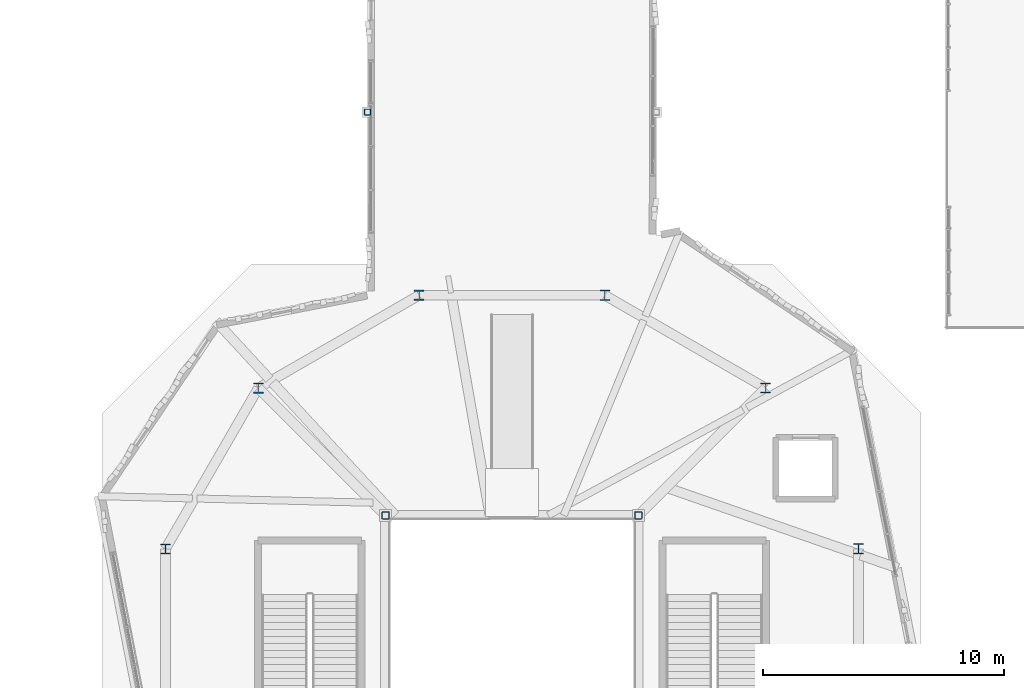
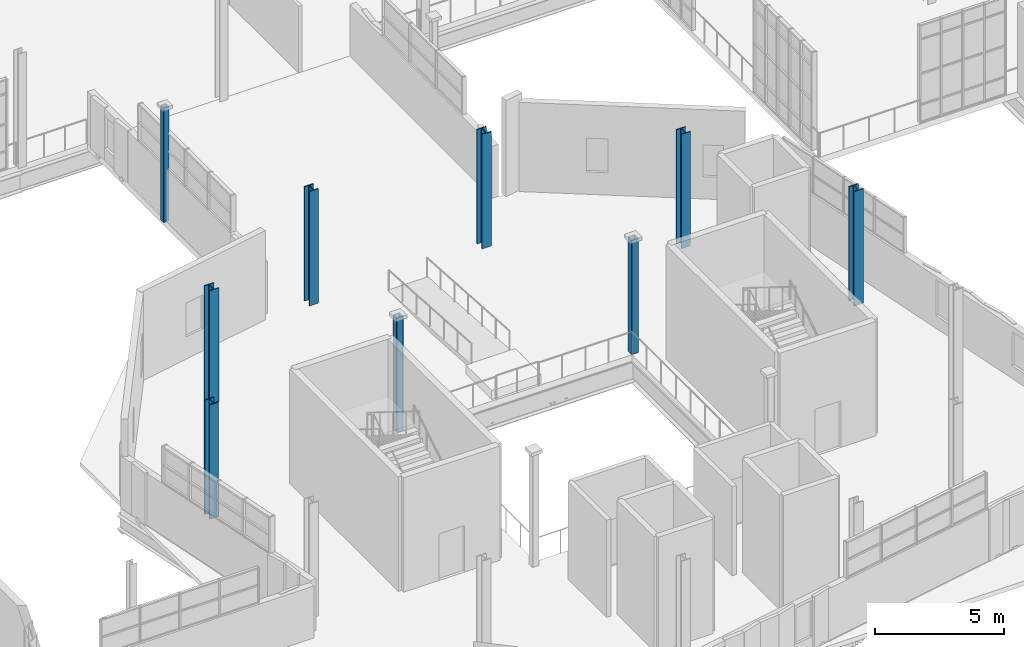
# One storey, part 7 of 142: 9 columns.
"""IFC4 building model written with IfcOpenShell, lengths in metres."""

from ifc_helpers import new_model, si_unit, direction, frame, origin, origin_2d, place, context, subcontext, project, spatial, hollow_rectangle, i_section, extrude, material, material_profile, profile_set, type_object, element, save


model = new_model("IFC4")

# Units and contexts
model_context = context("Model", 3, precision=1e-05, world=origin(), true_north=direction((0.0, 1.0)))
body_context = subcontext(model_context, "Body", "Model", "MODEL_VIEW")
ifc_project = project(units=[si_unit("LENGTHUNIT", "METRE"), si_unit("AREAUNIT", "SQUARE_METRE"), si_unit("VOLUMEUNIT", "CUBIC_METRE"), si_unit("PLANEANGLEUNIT", "RADIAN"), si_unit("MASSUNIT", "GRAM", prefix="KILO"), si_unit("THERMODYNAMICTEMPERATUREUNIT", "KELVIN"), si_unit("POWERUNIT", "WATT")], contexts=[model_context])

# Site, building, storey
site_placement = place(None, origin())
site = spatial("IfcSite", under=ifc_project, at=site_placement, CompositionType="ELEMENT")
building_placement = place(site_placement, origin())
building = spatial("IfcBuilding", under=site, at=building_placement, Name="Zelmaris Science Centre", CompositionType="ELEMENT")
storey_placement = place(building_placement, frame((0.0, 0.0, 5.39990234375)))
storey = spatial("IfcBuildingStorey", under=building, at=storey_placement, Name="L01", CompositionType="ELEMENT", Elevation=5.39990234375)

# Columns
ifc_material_1 = material(Name="Steel ASTM A992 Grade 50", Category="steel")
ifc_material_profile_1 = material_profile(ifc_material_1, i_section(OverallWidth=0.412109375, OverallDepth=0.43408203125, WebThickness=0.035888671875, FlangeThickness=0.044189453125, FilletRadius=0.014892578125, at=origin_2d()), Name="W14X311")
ifc_profile_set_1 = profile_set([ifc_material_profile_1], Name="Steel ASTM A992 Grade 50")
column_type_1 = type_object("IfcColumnType", Name="Column C-01 W14X311", PredefinedType="COLUMN", material=ifc_profile_set_1)
for number, where, z_axis, x_axis, name in (
    (1, (95.392333984375, 39.8564453125, 0.0), (0.0, 0.0, 1.0), (1.0, 0.0, 0.0), "Column V2-MC01 L01"),
    (2, (84.8564453125, 50.392333984375, 0.0), (0.0, 0.0, 1.0), (1.0, 0.0, 0.0), "Column V2-MC03 L01"),
    (3, (70.464111328125, 46.535888671875, 0.0), (0.0, 0.0, 1.0), (1.0, 0.0, 0.0), "Column V2-MC05 L01"),
):
    element("IfcColumn", number, at=place(storey_placement, frame(where, z_axis=z_axis, x_axis=x_axis)), inside=storey, type_object=column_type_1, Name=name, PredefinedType="COLUMN", context=body_context, shape_type="SweptSolid", body=[
        extrude(i_section(OverallWidth=0.412109375, OverallDepth=0.43408203125, WebThickness=0.035888671875, FlangeThickness=0.044189453125, FilletRadius=0.014892578125, at=origin_2d()), origin(), (0.0, 0.0, 1.0), 5.400146484375),
    ])
ifc_material_profile_2 = material_profile(ifc_material_1, i_section(OverallWidth=0.406005859375, OverallDepth=0.4169921875, WebThickness=0.02978515625, FlangeThickness=0.04443359375, FilletRadius=0.014892578125, at=origin_2d()), Name="W14X257")
ifc_profile_set_2 = profile_set([ifc_material_profile_2], Name="Steel ASTM A992 Grade 50")
column_type_2 = type_object("IfcColumnType", Name="Column C-02 W14X257", PredefinedType="COLUMN", material=ifc_profile_set_2)
for number, where, z_axis, x_axis, name in (
    (4, (91.535888671875, 46.535888671875, 0.0), (0.0, 0.0, 1.0), (1.0, 0.0, 0.0), "Column V2-MC02 L01"),
    (5, (77.1435546875, 50.392333984375, 0.0), (0.0, 0.0, 1.0), (1.0, 0.0, 0.0), "Column V2-MC04 L01"),
    (6, (66.607666015625, 39.8564453125, 0.0), (0.0, 0.0, 1.0), (1.0, 0.0, 0.0), "Column V2-MC06 L01"),
):
    element("IfcColumn", number, at=place(storey_placement, frame(where, z_axis=z_axis, x_axis=x_axis)), inside=storey, type_object=column_type_2, Name=name, PredefinedType="COLUMN", context=body_context, shape_type="SweptSolid", body=[
        extrude(i_section(OverallWidth=0.406005859375, OverallDepth=0.4169921875, WebThickness=0.02978515625, FlangeThickness=0.04443359375, FilletRadius=0.014892578125, at=origin_2d()), origin(), (0.0, 0.0, 1.0), 5.400146484375),
    ])
ifc_material_2 = material(Name="Steel ASTM A500 Grade C", Category="steel")
ifc_material_profile_3 = material_profile(ifc_material_2, hollow_rectangle(XDim=0.3046875, YDim=0.3046875, WallThickness=0.0146484375, InnerFilletRadius=0.0146484375, OuterFilletRadius=0.029296875, at=origin_2d()), Name="HSS305X305X16")
ifc_profile_set_3 = profile_set([ifc_material_profile_3], Name="Steel ASTM A500 Grade C")
column_type_3 = type_object("IfcColumnType", Name="Column C-10 HSS305X305X16", PredefinedType="COLUMN", material=ifc_profile_set_3)
for number, where, z_axis, x_axis, name in (
    (7, (86.25, 41.25, 0.0), (0.0, 0.0, 1.0), (1.0, 0.0, 0.0), "Column V2-AC03 L01"),
    (8, (75.75, 41.25, 0.0), (0.0, 0.0, 1.0), (1.0, 0.0, 0.0), "Column V2-AC04 L01"),
):
    element("IfcColumn", number, at=place(storey_placement, frame(where, z_axis=z_axis, x_axis=x_axis)), inside=storey, type_object=column_type_3, Name=name, PredefinedType="COLUMN", context=body_context, shape_type="SweptSolid", body=[
        extrude(hollow_rectangle(XDim=0.3046875, YDim=0.3046875, WallThickness=0.0146484375, InnerFilletRadius=0.0146484375, OuterFilletRadius=0.029296875, at=origin_2d()), origin(), (0.0, 0.0, 1.0), 5.400146484375),
    ])
ifc_material_profile_4 = material_profile(ifc_material_2, hollow_rectangle(XDim=0.25390625, YDim=0.25390625, WallThickness=0.01171875, InnerFilletRadius=0.01171875, OuterFilletRadius=0.023681640625, at=origin_2d()), Name="HSS254X254X13")
ifc_profile_set_4 = profile_set([ifc_material_profile_4], Name="Steel ASTM A500 Grade C")
column_type_4 = type_object("IfcColumnType", Name="Column C-11 HSS254X254X13", PredefinedType="COLUMN", material=ifc_profile_set_4)
column_placement = place(storey_placement, frame((75.0, 58.0, 0.0), z_axis=(0.0, 0.0, 1.0), x_axis=(1.0, 0.0, 0.0)))
element("IfcColumn", 9, at=column_placement, inside=storey, type_object=column_type_4, Name="Column LK-N-75 L01", PredefinedType="COLUMN", context=body_context, shape_type="SweptSolid", body=[
    extrude(hollow_rectangle(XDim=0.25390625, YDim=0.25390625, WallThickness=0.01171875, InnerFilletRadius=0.01171875, OuterFilletRadius=0.023681640625, at=origin_2d()), origin(), (0.0, 0.0, 1.0), 5.400146484375),
])

save(model, "model.ifc")
